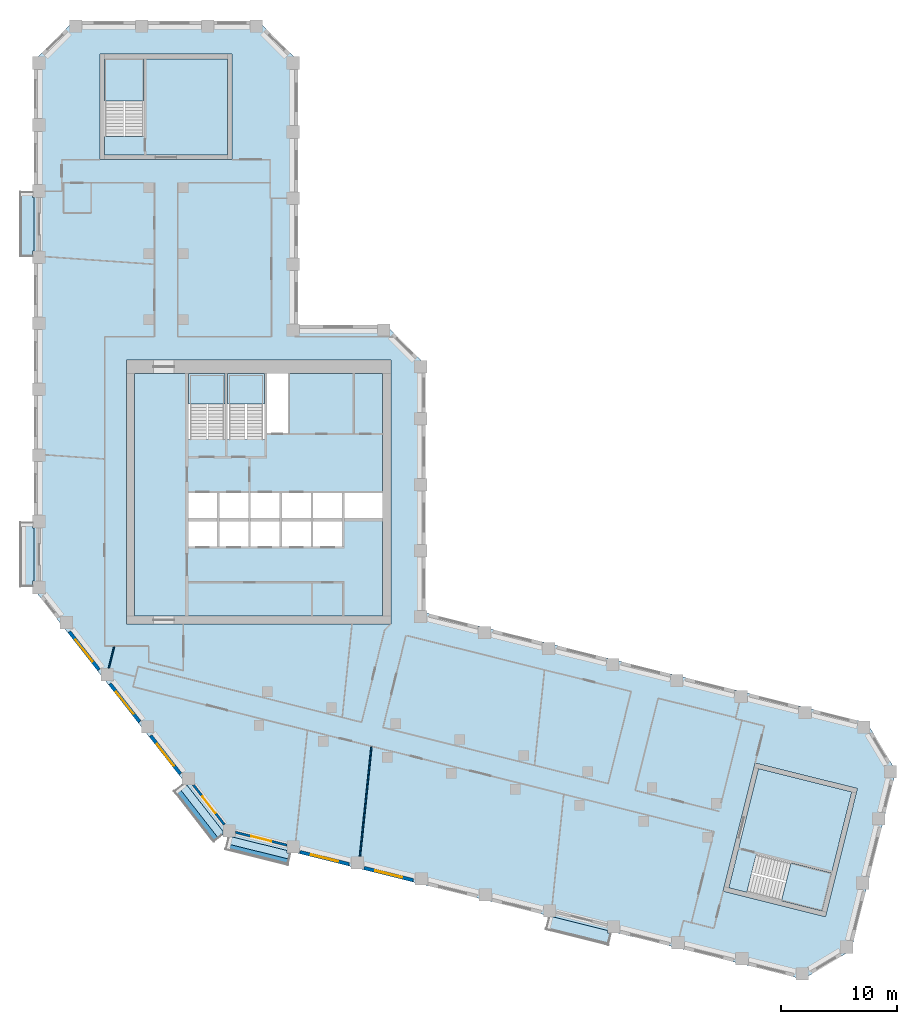
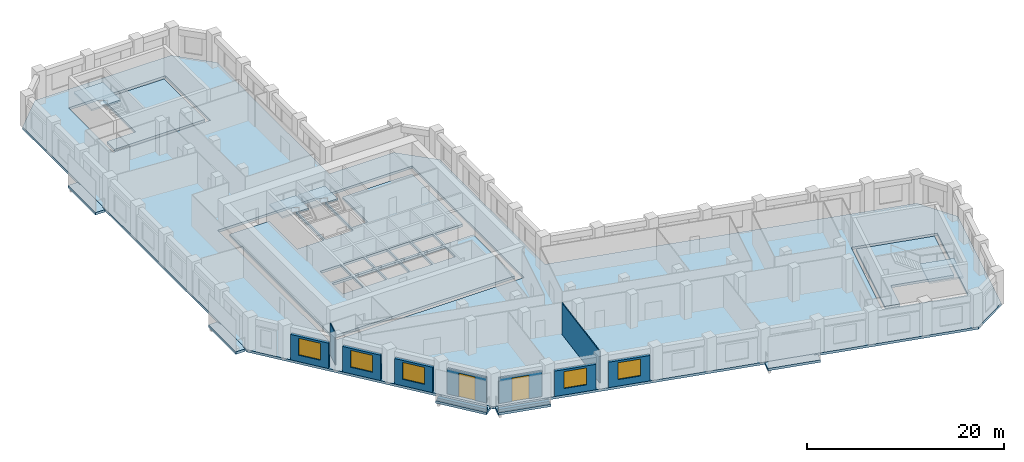
# One storey, part 2 of 10: 13 slabs, 11 walls, 5 windows, 2 doors, 7 openings, 4 elements without a shape of their own.
"""IFC4 building model written with IfcOpenShell, lengths in metres."""

from ifc_helpers import new_model, si_unit, direction, frame, frame_2d, origin, place, context, subcontext, project, spatial, polyline, rectangle, outline, extrude, material, layer, layer_set, type_object, element, fill, aggregate, save


model = new_model("IFC4")

# Units and contexts
model_context = context("Model", 3, precision=1e-05, world=origin(), true_north=direction((0.0, 1.0)))
body_context = subcontext(model_context, "Body", "Model", "MODEL_VIEW")
ifc_project = project(units=[si_unit("LENGTHUNIT", "METRE"), si_unit("AREAUNIT", "SQUARE_METRE"), si_unit("VOLUMEUNIT", "CUBIC_METRE"), si_unit("PLANEANGLEUNIT", "RADIAN"), si_unit("MASSUNIT", "GRAM", prefix="KILO")], contexts=[model_context])

# Site, building, storey
site_placement = place(None, origin())
site = spatial("IfcSite", under=ifc_project, at=site_placement, CompositionType="ELEMENT")
building_placement = place(site_placement, origin())
building = spatial("IfcBuilding", under=site, at=building_placement, Name="Meshkara Civic Tower", CompositionType="ELEMENT")
storey_placement = place(building_placement, frame((0.0, 0.0, 234.0)))
storey = spatial("IfcBuildingStorey", under=building, at=storey_placement, Name="L53", CompositionType="ELEMENT", Elevation=234.0)

# Slabs
ifc_material_1 = material(Name="Concrete C40", Category="concrete")
ifc_layer_1 = layer(ifc_material_1, 0.300048828125)
ifc_layer_set_1 = layer_set([ifc_layer_1], Name="BALCONY SLAB")
slab_type_1 = type_object("IfcSlabType", Name="BALCONY SLAB", PredefinedType="FLOOR", material=ifc_layer_set_1)
slab_1_placement = place(storey_placement, frame((0.0, 0.0, -0.300048828125)))
element("IfcSlab", 1, at=slab_1_placement, inside=storey, type_object=slab_type_1, Name="Balcony slab", PredefinedType="FLOOR", context=body_context, shape_type="SweptSolid", body=[
    extrude(outline(polyline([(-1.199951171875, 45.81494140625), (-1.199951171875, 51.39501953125), (-0.10009765625, 51.39501953125), (-0.10009765625, 50.905029296875), (0.0, 50.905029296875), (0.0, 46.304931640625), (-0.10009765625, 46.304931640625), (-0.10009765625, 45.81494140625), (-1.199951171875, 45.81494140625)])), origin(), (0.0, 0.0, 1.0), 0.300048828125),
])
slab_2_placement = place(storey_placement, frame((0.0, 0.0, -0.300048828125)))
element("IfcSlab", 2, at=slab_2_placement, inside=storey, type_object=slab_type_1, Name="Balcony slab", PredefinedType="FLOOR", context=body_context, shape_type="SweptSolid", body=[
    extrude(outline(polyline([(-1.199951171875, 17.31494140625), (-1.199951171875, 22.89501953125), (-0.10009765625, 22.89501953125), (-0.10009765625, 22.405029296875), (0.0, 22.405029296875), (0.0, 17.804931640625), (-0.10009765625, 17.804931640625), (-0.10009765625, 17.31494140625), (-1.199951171875, 17.31494140625)])), origin(), (0.0, 0.0, 1.0), 0.300048828125),
])
slab_3_placement = place(storey_placement, frame((0.0, 0.0, -0.300048828125)))
element("IfcSlab", 3, at=slab_3_placement, inside=storey, type_object=slab_type_1, Name="Balcony slab", PredefinedType="FLOOR", context=body_context, shape_type="SweptSolid", body=[
    extrude(outline(polyline([(15.513916015625, -4.7060546875), (12.0791015625, -0.30908203125), (12.7919921875, 0.248046875), (12.7919921875, 0.2041015625), (13.199951171875, 0.2041015625), (16.301025390625, -3.764892578125), (16.301025390625, -4.092041015625), (15.513916015625, -4.7060546875)])), origin(), (0.0, 0.0, 1.0), 0.300048828125),
])
slab_4_placement = place(storey_placement, frame((0.0, 0.0, -0.300048828125)))
element("IfcSlab", 4, at=slab_4_placement, inside=storey, type_object=slab_type_1, Name="Balcony slab", PredefinedType="FLOOR", context=body_context, shape_type="SweptSolid", body=[
    extrude(outline(polyline([(21.925048828125, -6.702880859375), (16.510009765625, -5.35302734375), (16.77587890625, -4.2880859375), (17.197998046875, -4.2880859375), (21.83203125, -5.443115234375), (21.83203125, -5.6669921875), (22.18310546875, -5.6669921875), (21.925048828125, -6.702880859375)])), origin(), (0.0, 0.0, 1.0), 0.300048828125),
])
slab_5_placement = place(storey_placement, frame((0.0, 0.0, -0.300048828125)))
element("IfcSlab", 5, at=slab_5_placement, inside=storey, type_object=slab_type_1, Name="Balcony slab", PredefinedType="FLOOR", context=body_context, shape_type="SweptSolid", body=[
    extrude(outline(polyline([(49.577880859375, -13.597900390625), (44.1640625, -12.248046875), (44.429931640625, -11.181884765625), (44.84912109375, -11.181884765625), (49.485107421875, -12.337890625), (49.485107421875, -12.56103515625), (49.8359375, -12.56103515625), (49.577880859375, -13.597900390625)])), origin(), (0.0, 0.0, 1.0), 0.300048828125),
])
ifc_material_2 = material(Name="Concrete C40/50", Category="concrete")
ifc_layer_2 = layer(ifc_material_2, 0.300048828125)
ifc_layer_set_2 = layer_set([ifc_layer_2], Name="Core floor slab 300 C40/50")
slab_type_2 = type_object("IfcSlabType", Name="Core floor slab 300 C40/50", PredefinedType="FLOOR", material=ifc_layer_set_2)
slab_6_placement = place(storey_placement, frame((0.0, 0.0, -0.300048828125)))
element("IfcSlab", 6, at=slab_6_placement, inside=storey, type_object=slab_type_2, Name="Core floor K", PredefinedType="FLOOR", context=body_context, shape_type="SweptSolid", body=[
    extrude(outline(polyline([(8.699951171875, 35.699951171875), (13.35009765625, 35.699951171875), (13.35009765625, 30.00146484375), (16.5, 30.00146484375), (16.5, 35.699951171875), (16.699951171875, 35.699951171875), (16.699951171875, 30.00146484375), (19.89990234375, 30.00146484375), (19.89990234375, 35.699951171875), (20.10009765625, 35.699951171875), (20.10009765625, 30.574951171875), (21.925048828125, 30.574951171875), (21.925048828125, 35.699951171875), (30.10009765625, 35.699951171875), (30.10009765625, 25.39990234375), (26.800048828125, 25.39990234375), (26.800048828125, 23.25), (30.10009765625, 23.25), (30.10009765625, 14.800048828125), (8.699951171875, 14.800048828125), (8.699951171875, 35.699951171875)]), holes=[polyline([(15.800048828125, 22.949951171875), (13.35009765625, 22.949951171875), (13.35009765625, 20.800048828125), (15.800048828125, 20.800048828125), (15.800048828125, 22.949951171875)]), polyline([(16.0, 22.949951171875), (16.0, 20.800048828125), (18.5, 20.800048828125), (18.5, 22.949951171875), (16.0, 22.949951171875)]), polyline([(18.699951171875, 22.949951171875), (18.699951171875, 20.800048828125), (21.199951171875, 20.800048828125), (21.199951171875, 22.949951171875), (18.699951171875, 22.949951171875)]), polyline([(15.800048828125, 23.25), (15.800048828125, 25.39990234375), (13.35009765625, 25.39990234375), (13.35009765625, 23.25), (15.800048828125, 23.25)]), polyline([(16.0, 25.39990234375), (16.0, 23.25), (18.5, 23.25), (18.5, 25.39990234375), (16.0, 25.39990234375)]), polyline([(21.39990234375, 20.800048828125), (23.89990234375, 20.800048828125), (23.89990234375, 22.949951171875), (21.39990234375, 22.949951171875), (21.39990234375, 20.800048828125)]), polyline([(24.10009765625, 20.800048828125), (26.60009765625, 20.800048828125), (26.60009765625, 22.949951171875), (24.10009765625, 22.949951171875), (24.10009765625, 20.800048828125)]), polyline([(18.699951171875, 25.39990234375), (18.699951171875, 23.25), (21.199951171875, 23.25), (21.199951171875, 25.39990234375), (18.699951171875, 25.39990234375)]), polyline([(21.39990234375, 25.39990234375), (21.39990234375, 23.25), (23.89990234375, 23.25), (23.89990234375, 25.39990234375), (21.39990234375, 25.39990234375)]), polyline([(24.10009765625, 23.25), (26.60009765625, 23.25), (26.60009765625, 25.39990234375), (24.10009765625, 25.39990234375), (24.10009765625, 23.25)])]), origin(), (0.0, 0.0, 1.0), 0.300048828125),
])
slab_7_placement = place(storey_placement, frame((0.0, 0.0, -0.300048828125)))
element("IfcSlab", 7, at=slab_7_placement, inside=storey, type_object=slab_type_2, Name="Core floor EA", PredefinedType="FLOOR", context=body_context, shape_type="SweptSolid", body=[
    extrude(outline(polyline([(16.699951171875, 54.570068359375), (16.699951171875, 62.8701171875), (9.5, 62.8701171875), (9.5, 56.17138671875), (6.10009765625, 56.17138671875), (6.10009765625, 54.570068359375), (16.699951171875, 54.570068359375)])), origin(), (0.0, 0.0, 1.0), 0.300048828125),
])
slab_8_placement = place(storey_placement, frame((0.0, 0.0, -0.300048828125)))
element("IfcSlab", 8, at=slab_8_placement, inside=storey, type_object=slab_type_2, Name="Core floor EB", PredefinedType="FLOOR", context=body_context, shape_type="SweptSolid", body=[
    extrude(outline(polyline([(62.519775390625, 1.623291015625), (70.5732421875, -0.384765625), (68.83154296875, -7.370849609375), (62.33203125, -5.750244140625), (61.50927734375, -9.04931640625), (59.95556640625, -8.661865234375), (62.519775390625, 1.623291015625)])), origin(), (0.0, 0.0, 1.0), 0.300048828125),
])

# Stair, slab
ifc_material_3 = material(Name="Precast concrete C40/50", Category="concrete")
stair_type_1 = type_object("IfcStairType", Name="Exit stair half-turn 24 risers precast", PredefinedType="HALF_TURN_STAIR", material=ifc_material_3)
stair_1_placement = place(storey_placement, origin())
stair_1 = element("IfcStair", 9, at=stair_1_placement, inside=storey, type_object=stair_type_1, Name="L53 exit stair 1", PredefinedType="HALF_TURN_STAIR")
ifc_material_4 = material(Name="Precast concrete C40/50", Category="concrete")
ifc_layer_3 = layer(ifc_material_4, 0.199951171875)
ifc_layer_set_3 = layer_set([ifc_layer_3], Name="Exit stair landing 200")
slab_type_3 = type_object("IfcSlabType", Name="Exit stair landing 200", PredefinedType="LANDING", material=ifc_layer_set_3)
slab_9_placement = place(storey_placement, frame((0.0, 0.0, 1.89990234375)))
slab_9 = element("IfcSlab", 10, at=slab_9_placement, type_object=slab_type_3, Name="ST1 landing 1", PredefinedType="LANDING", context=body_context, shape_type="SweptSolid", body=[
    extrude(outline(polyline([(16.5, 33.07861328125), (16.5, 35.699951171875), (13.35009765625, 35.699951171875), (13.35009765625, 33.07861328125), (16.5, 33.07861328125)])), origin(), (0.0, 0.0, 1.0), 0.2001953125),
])
aggregate(stair_1, [slab_9])

stair_2_placement = place(storey_placement, origin())
stair_2 = element("IfcStair", 11, at=stair_2_placement, inside=storey, type_object=stair_type_1, Name="L53 exit stair 2", PredefinedType="HALF_TURN_STAIR")
slab_10_placement = place(storey_placement, frame((0.0, 0.0, 1.89990234375)))
slab_10 = element("IfcSlab", 12, at=slab_10_placement, type_object=slab_type_3, Name="ST2 landing 1", PredefinedType="LANDING", context=body_context, shape_type="SweptSolid", body=[
    extrude(outline(polyline([(19.89990234375, 33.07861328125), (19.89990234375, 35.699951171875), (16.699951171875, 35.699951171875), (16.699951171875, 33.07861328125), (19.89990234375, 33.07861328125)])), origin(), (0.0, 0.0, 1.0), 0.2001953125),
])
aggregate(stair_2, [slab_10])

ifc_material_5 = material(Name="Precast concrete C40/50", Category="concrete")
stair_type_2 = type_object("IfcStairType", Name="Exit stair half-turn 24 risers 1600 precast", PredefinedType="HALF_TURN_STAIR", material=ifc_material_5)
stair_3_placement = place(storey_placement, origin())
stair_3 = element("IfcStair", 13, at=stair_3_placement, inside=storey, type_object=stair_type_2, Name="L53 exit stair A from L50", PredefinedType="HALF_TURN_STAIR")
slab_11_placement = place(storey_placement, frame((0.0, 0.0, 1.89990234375)))
slab_11 = element("IfcSlab", 14, at=slab_11_placement, type_object=slab_type_3, Name="ESA4 landing 1", PredefinedType="LANDING", context=body_context, shape_type="SweptSolid", body=[
    extrude(outline(polyline([(9.5, 59.24853515625), (9.5, 62.8701171875), (6.10009765625, 62.8701171875), (6.10009765625, 59.24853515625), (9.5, 59.24853515625)])), origin(), (0.0, 0.0, 1.0), 0.2001953125),
])
aggregate(stair_3, [slab_11])

stair_4_placement = place(storey_placement, origin())
stair_4 = element("IfcStair", 15, at=stair_4_placement, inside=storey, type_object=stair_type_2, Name="L53 exit stair B from L50", PredefinedType="HALF_TURN_STAIR")
slab_12_placement = place(storey_placement, frame((0.0, 0.0, 1.89990234375)))
slab_12 = element("IfcSlab", 16, at=slab_12_placement, type_object=slab_type_3, Name="ESB4 landing 1", PredefinedType="LANDING", context=body_context, shape_type="SweptSolid", body=[
    extrude(outline(polyline([(64.49462890625, -9.794677734375), (68.0087890625, -10.67138671875), (68.83203125, -7.371337890625), (65.318115234375, -6.49462890625), (64.49462890625, -9.794677734375)])), origin(), (0.0, 0.0, 1.0), 0.2001953125),
])
aggregate(stair_4, [slab_12])

# Slab
ifc_material_6 = material(Name="Concrete C50", Category="concrete")
ifc_layer_4 = layer(ifc_material_6, 0.300048828125)
ifc_layer_set_4 = layer_set([ifc_layer_4], Name="Post-tensioned flat slab 300 C50")
slab_type_4 = type_object("IfcSlabType", Name="Post-tensioned flat slab 300 C50", PredefinedType="FLOOR", material=ifc_layer_set_4)
slab_13_placement = place(storey_placement, frame((0.0, 0.0, -0.300048828125)))
element("IfcSlab", 17, at=slab_13_placement, inside=storey, type_object=slab_type_4, Name="Post-tensioned flat slab L53", PredefinedType="FLOOR", context=body_context, shape_type="SweptSolid", body=[
    extrude(outline(polyline([(70.513916015625, -14.055908203125), (66.367919921875, -16.547119140625), (16.592041015625, -4.136962890625), (0.0, 17.10009765625), (0.0, 62.699951171875), (3.419921875, 66.1201171875), (19.3798828125, 66.1201171875), (22.800048828125, 62.699951171875), (22.800048828125, 39.89990234375), (30.3798828125, 39.89990234375), (33.800048828125, 36.47998046875), (33.800048828125, 15.071044921875), (71.884033203125, 5.574951171875), (74.375, 1.429931640625), (70.513916015625, -14.055908203125)]), holes=[polyline([(68.300048828125, -11.155029296875), (71.05810546875, -0.093017578125), (62.22802734375, 2.10791015625), (59.470947265625, -8.952880859375), (68.300048828125, -11.155029296875)]), polyline([(8.0, 14.10009765625), (30.800048828125, 14.10009765625), (30.800048828125, 36.89990234375), (8.0, 36.89990234375), (8.0, 14.10009765625)]), polyline([(5.699951171875, 63.27001953125), (5.699951171875, 54.169921875), (17.10009765625, 54.169921875), (17.10009765625, 63.27001953125), (5.699951171875, 63.27001953125)])]), origin(), (0.0, 0.0, 1.0), 0.300048828125),
])

# Wall, opening, window
ifc_material_7 = material(Name="Insulated infill panel with bronze anodised aluminium cladding", Category="aluminium")
ifc_layer_5 = layer(ifc_material_7, 0.300048828125)
ifc_layer_set_5 = layer_set([ifc_layer_5], Name="EXTERNAL INFILL WALL 300")
wall_type_1 = type_object("IfcWallType", Name="EXTERNAL INFILL WALL 300", PredefinedType="SOLIDWALL", material=ifc_layer_set_5)
wall_1_placement = place(storey_placement, frame((3.052978515625, 13.43603515625, 0.0), z_axis=(0.0, 0.0, 1.0), x_axis=(0.615699893917, -0.787980736205, 0.0)))
wall_1 = element("IfcWall", 18, at=wall_1_placement, inside=storey, type_object=wall_type_1, Name="External wall", PredefinedType="SOLIDWALL", context=body_context, shape_type="SweptSolid", body=[
    extrude(rectangle(XDim=4.156494140625, YDim=0.300048828125, at=frame_2d((2.078125, 0.0))), origin(), (0.0, 0.0, 1.0), 3.14990234375),
])
opening_1_placement = place(wall_1_placement, frame((0.8779296875, 0.0, 0.800048828125)))
opening_1 = element("IfcOpeningElement", 19, at=opening_1_placement, cuts=wall_1, Name="Opening W7", PredefinedType="OPENING", context=body_context, shape_type="SweptSolid", body=[
    extrude(rectangle(XDim=2.39990234375, YDim=2.10009765625, at=frame_2d((1.199951171875, 1.050048828125))), frame((0.0, 0.159912109375, 0.0), z_axis=(0.0, -1.0, 0.0), x_axis=(1.0, 0.0, 0.0)), (0.0, 0.0, 1.0), 0.320068359375),
])
ifc_material_8 = material(Name="Tinted double glazing", Category="glass")
window_type = type_object("IfcWindowType", Name="WINDOW 2400x2100", PartitioningType="DOUBLE_PANEL_VERTICAL", PredefinedType="WINDOW", material=ifc_material_8)
window_1_placement = place(opening_1_placement, origin())
window_1 = element("IfcWindow", 20, at=window_1_placement, inside=storey, type_object=window_type, Name="Window", OverallHeight=2.10009765625, OverallWidth=2.39990234375, PartitioningType="DOUBLE_PANEL_VERTICAL", PredefinedType="WINDOW", context=body_context, shape_type="SweptSolid", body=[
    extrude(rectangle(XDim=2.39990234375, YDim=2.10009765625, at=frame_2d((1.199951171875, 1.050048828125))), frame((0.0, 0.030029296875, 0.0), z_axis=(0.0, -1.0, 0.0), x_axis=(1.0, 0.0, 0.0)), (0.0, 0.0, 1.0), 0.06005859375),
])
fill(opening_1, window_1)

wall_2_placement = place(storey_placement, frame((6.56201171875, 8.944091796875, 0.0), z_axis=(0.0, 0.0, 1.0), x_axis=(0.615699893917, -0.787980736205, 0.0)))
wall_2 = element("IfcWall", 21, at=wall_2_placement, inside=storey, type_object=wall_type_1, Name="External wall", PredefinedType="SOLIDWALL", context=body_context, shape_type="SweptSolid", body=[
    extrude(rectangle(XDim=4.156494140625, YDim=0.300048828125, at=frame_2d((2.078125, 0.0))), origin(), (0.0, 0.0, 1.0), 3.14990234375),
])
opening_2_placement = place(wall_2_placement, frame((0.8779296875, 0.0, 0.800048828125)))
opening_2 = element("IfcOpeningElement", 22, at=opening_2_placement, cuts=wall_2, Name="Opening W7", PredefinedType="OPENING", context=body_context, shape_type="SweptSolid", body=[
    extrude(rectangle(XDim=2.39990234375, YDim=2.10009765625, at=frame_2d((1.199951171875, 1.050048828125))), frame((0.0, 0.159912109375, 0.0), z_axis=(0.0, -1.0, 0.0), x_axis=(1.0, 0.0, 0.0)), (0.0, 0.0, 1.0), 0.320068359375),
])
window_2_placement = place(opening_2_placement, origin())
window_2 = element("IfcWindow", 23, at=window_2_placement, inside=storey, type_object=window_type, Name="Window", OverallHeight=2.10009765625, OverallWidth=2.39990234375, PartitioningType="DOUBLE_PANEL_VERTICAL", PredefinedType="WINDOW", context=body_context, shape_type="SweptSolid", body=[
    extrude(rectangle(XDim=2.39990234375, YDim=2.10009765625, at=frame_2d((1.199951171875, 1.050048828125))), frame((0.0, 0.030029296875, 0.0), z_axis=(0.0, -1.0, 0.0), x_axis=(1.0, 0.0, 0.0)), (0.0, 0.0, 1.0), 0.06005859375),
])
fill(opening_2, window_2)

wall_3_placement = place(storey_placement, frame((10.072021484375, 4.451904296875, 0.0), z_axis=(0.0, 0.0, 1.0), x_axis=(0.615660006568, -0.788011901124, 0.0)))
wall_3 = element("IfcWall", 24, at=wall_3_placement, inside=storey, type_object=wall_type_1, Name="External wall", PredefinedType="SOLIDWALL", context=body_context, shape_type="SweptSolid", body=[
    extrude(rectangle(XDim=4.15478515625, YDim=0.300048828125, at=frame_2d((2.077392578125, 0.0))), origin(), (0.0, 0.0, 1.0), 3.14990234375),
])
opening_3_placement = place(wall_3_placement, frame((0.8779296875, 0.0, 0.800048828125)))
opening_3 = element("IfcOpeningElement", 25, at=opening_3_placement, cuts=wall_3, Name="Opening W7", PredefinedType="OPENING", context=body_context, shape_type="SweptSolid", body=[
    extrude(rectangle(XDim=2.39990234375, YDim=2.10009765625, at=frame_2d((1.199951171875, 1.050048828125))), frame((0.0, 0.159912109375, 0.0), z_axis=(0.0, -1.0, 0.0), x_axis=(1.0, 0.0, 0.0)), (0.0, 0.0, 1.0), 0.320068359375),
])
window_3_placement = place(opening_3_placement, origin())
window_3 = element("IfcWindow", 26, at=window_3_placement, inside=storey, type_object=window_type, Name="Window", OverallHeight=2.10009765625, OverallWidth=2.39990234375, PartitioningType="DOUBLE_PANEL_VERTICAL", PredefinedType="WINDOW", context=body_context, shape_type="SweptSolid", body=[
    extrude(rectangle(XDim=2.39990234375, YDim=2.10009765625, at=frame_2d((1.199951171875, 1.050048828125))), frame((0.0, 0.030029296875, 0.0), z_axis=(0.0, -1.0, 0.0), x_axis=(1.0, 0.0, 0.0)), (0.0, 0.0, 1.0), 0.06005859375),
])
fill(opening_3, window_3)

wall_4_placement = place(storey_placement, frame((22.9560546875, -5.569091796875, 0.0), z_axis=(0.0, 0.0, 1.0), x_axis=(0.970323116569, -0.241812012628, 0.0)))
wall_4 = element("IfcWall", 27, at=wall_4_placement, inside=storey, type_object=wall_type_1, Name="External wall", PredefinedType="SOLIDWALL", context=body_context, shape_type="SweptSolid", body=[
    extrude(rectangle(XDim=4.36669921875, YDim=0.300048828125, at=frame_2d((2.183349609375, 0.0))), origin(), (0.0, 0.0, 1.0), 3.14990234375),
])
opening_4_placement = place(wall_4_placement, frame((0.98291015625, 0.0, 0.800048828125)))
opening_4 = element("IfcOpeningElement", 28, at=opening_4_placement, cuts=wall_4, Name="Opening W7", PredefinedType="OPENING", context=body_context, shape_type="SweptSolid", body=[
    extrude(rectangle(XDim=2.39990234375, YDim=2.10009765625, at=frame_2d((1.199951171875, 1.050048828125))), frame((0.0, 0.159912109375, 0.0), z_axis=(0.0, -1.0, 0.0), x_axis=(1.0, 0.0, 0.0)), (0.0, 0.0, 1.0), 0.320068359375),
])
window_4_placement = place(opening_4_placement, origin())
window_4 = element("IfcWindow", 29, at=window_4_placement, inside=storey, type_object=window_type, Name="Window", OverallHeight=2.10009765625, OverallWidth=2.39990234375, PartitioningType="DOUBLE_PANEL_VERTICAL", PredefinedType="WINDOW", context=body_context, shape_type="SweptSolid", body=[
    extrude(rectangle(XDim=2.39990234375, YDim=2.10009765625, at=frame_2d((1.199951171875, 1.050048828125))), frame((0.0, 0.030029296875, 0.0), z_axis=(0.0, -1.0, 0.0), x_axis=(1.0, 0.0, 0.0)), (0.0, 0.0, 1.0), 0.06005859375),
])
fill(opening_4, window_4)

wall_5_placement = place(storey_placement, frame((28.486083984375, -6.947998046875, 0.0), z_axis=(0.0, 0.0, 1.0), x_axis=(0.970336189295, -0.241759549438, 0.0)))
wall_5 = element("IfcWall", 30, at=wall_5_placement, inside=storey, type_object=wall_type_1, Name="External wall", PredefinedType="SOLIDWALL", context=body_context, shape_type="SweptSolid", body=[
    extrude(rectangle(XDim=4.36767578125, YDim=0.300048828125, at=frame_2d((2.183837890625, 0.0))), origin(), (0.0, 0.0, 1.0), 3.14990234375),
])
opening_5_placement = place(wall_5_placement, frame((0.98291015625, 0.0, 0.800048828125)))
opening_5 = element("IfcOpeningElement", 31, at=opening_5_placement, cuts=wall_5, Name="Opening W7", PredefinedType="OPENING", context=body_context, shape_type="SweptSolid", body=[
    extrude(rectangle(XDim=2.39990234375, YDim=2.10009765625, at=frame_2d((1.199951171875, 1.050048828125))), frame((0.0, 0.159912109375, 0.0), z_axis=(0.0, -1.0, 0.0), x_axis=(1.0, 0.0, 0.0)), (0.0, 0.0, 1.0), 0.320068359375),
])
window_5_placement = place(opening_5_placement, origin())
window_5 = element("IfcWindow", 32, at=window_5_placement, inside=storey, type_object=window_type, Name="Window", OverallHeight=2.10009765625, OverallWidth=2.39990234375, PartitioningType="DOUBLE_PANEL_VERTICAL", PredefinedType="WINDOW", context=body_context, shape_type="SweptSolid", body=[
    extrude(rectangle(XDim=2.39990234375, YDim=2.10009765625, at=frame_2d((1.199951171875, 1.050048828125))), frame((0.0, 0.030029296875, 0.0), z_axis=(0.0, -1.0, 0.0), x_axis=(1.0, 0.0, 0.0)), (0.0, 0.0, 1.0), 0.06005859375),
])
fill(opening_5, window_5)

# Wall, opening, door
ifc_material_9 = material(Name="Insulated infill panel with bronze anodised aluminium cladding", Category="aluminium")
ifc_layer_6 = layer(ifc_material_9, 0.199951171875)
ifc_layer_set_6 = layer_set([ifc_layer_6], Name="LOGGIA BACK WALL 200")
wall_type_2 = type_object("IfcWallType", Name="LOGGIA BACK WALL 200", PredefinedType="SOLIDWALL", material=ifc_layer_set_6)
wall_6_placement = place(storey_placement, frame((13.77197265625, 0.2041015625, 0.0), z_axis=(0.0, 0.0, 1.0), x_axis=(0.615478906808, -0.788153357713, 0.0)))
wall_6 = element("IfcWall", 33, at=wall_6_placement, inside=storey, type_object=wall_type_2, Name="Loggia wall", PredefinedType="SOLIDWALL", context=body_context, shape_type="SweptSolid", body=[
    extrude(rectangle(XDim=4.303955078125, YDim=0.199951171875, at=frame_2d((2.15185546875, 0.0))), origin(), (0.0, 0.0, 1.0), 3.14990234375),
])
opening_6_placement = place(wall_6_placement, frame((1.251953125, 0.0, 0.0)))
opening_6 = element("IfcOpeningElement", 34, at=opening_6_placement, cuts=wall_6, Name="Opening L53-L003", PredefinedType="OPENING", context=body_context, shape_type="SweptSolid", body=[
    extrude(rectangle(XDim=1.800048828125, YDim=2.89990234375, at=frame_2d((0.89990234375, 1.449951171875))), frame((0.0, 0.10986328125, 0.0), z_axis=(0.0, -1.0, 0.0), x_axis=(1.0, 0.0, 0.0)), (0.0, 0.0, 1.0), 0.219970703125),
])
ifc_material_10 = material(Name="Tinted double glazing", Category="glass")
door_type = type_object("IfcDoorType", Name="LOGGIA DOOR 1800x2900", OperationType="DOUBLE_DOOR_SINGLE_SWING", PredefinedType="DOOR", material=ifc_material_10)
door_1_placement = place(opening_6_placement, origin())
door_1 = element("IfcDoor", 35, at=door_1_placement, inside=storey, type_object=door_type, Name="L53-L003", OperationType="DOUBLE_DOOR_SINGLE_SWING", OverallHeight=2.89990234375, OverallWidth=1.800048828125, PredefinedType="DOOR", context=body_context, shape_type="SweptSolid", body=[
    extrude(rectangle(XDim=1.800048828125, YDim=2.89990234375, at=frame_2d((0.89990234375, 1.449951171875))), frame((0.0, 0.02490234375, 0.0), z_axis=(0.0, -1.0, 0.0), x_axis=(1.0, 0.0, 0.0)), (0.0, 0.0, 1.0), 0.050048828125),
])
fill(opening_6, door_1)

wall_7_placement = place(storey_placement, frame((17.40087890625, -3.875, 0.0), z_axis=(0.0, 0.0, 1.0), x_axis=(0.970286982272, -0.241956963183, 0.0)))
wall_7 = element("IfcWall", 36, at=wall_7_placement, inside=storey, type_object=wall_type_2, Name="Loggia wall", PredefinedType="SOLIDWALL", context=body_context, shape_type="SweptSolid", body=[
    extrude(rectangle(XDim=4.56689453125, YDim=0.199951171875, at=frame_2d((2.283447265625, 0.0))), origin(), (0.0, 0.0, 1.0), 3.14990234375),
])
opening_7_placement = place(wall_7_placement, frame((1.383056640625, 0.0, 0.0)))
opening_7 = element("IfcOpeningElement", 37, at=opening_7_placement, cuts=wall_7, Name="Opening L53-L004", PredefinedType="OPENING", context=body_context, shape_type="SweptSolid", body=[
    extrude(rectangle(XDim=1.800048828125, YDim=2.89990234375, at=frame_2d((0.89990234375, 1.449951171875))), frame((0.0, 0.10986328125, 0.0), z_axis=(0.0, -1.0, 0.0), x_axis=(1.0, 0.0, 0.0)), (0.0, 0.0, 1.0), 0.219970703125),
])
door_2_placement = place(opening_7_placement, origin())
door_2 = element("IfcDoor", 38, at=door_2_placement, inside=storey, type_object=door_type, Name="L53-L004", OperationType="DOUBLE_DOOR_SINGLE_SWING", OverallHeight=2.89990234375, OverallWidth=1.800048828125, PredefinedType="DOOR", context=body_context, shape_type="SweptSolid", body=[
    extrude(rectangle(XDim=1.800048828125, YDim=2.89990234375, at=frame_2d((0.89990234375, 1.449951171875))), frame((0.0, 0.02490234375, 0.0), z_axis=(0.0, -1.0, 0.0), x_axis=(1.0, 0.0, 0.0)), (0.0, 0.0, 1.0), 0.050048828125),
])
fill(opening_7, door_2)

# Walls
ifc_material_11 = material(Name="Concrete C40", Category="concrete")
ifc_layer_7 = layer(ifc_material_11, 0.39990234375)
ifc_layer_set_7 = layer_set([ifc_layer_7], Name="PLANTER TRAY")
wall_type_3 = type_object("IfcWallType", Name="PLANTER TRAY", PredefinedType="SOLIDWALL", material=ifc_layer_set_7)
wall_8_placement = place(storey_placement, frame((12.39794921875, -0.198974609375, 0.0), z_axis=(0.0, 0.0, 1.0), x_axis=(0.615638738903, -0.788028516719, 0.0)))
element("IfcWall", 39, at=wall_8_placement, inside=storey, type_object=wall_type_3, Name="Planter", PredefinedType="SOLIDWALL", context=body_context, shape_type="SweptSolid", body=[
    extrude(rectangle(XDim=5.3603515625, YDim=0.39990234375, at=frame_2d((2.68017578125, 0.0))), origin(), (0.0, 0.0, 1.0), 0.300048828125),
])
wall_9_placement = place(storey_placement, frame((16.694091796875, -5.069091796875, 0.0), z_axis=(0.0, 0.0, 1.0), x_axis=(0.970289679319, -0.241946147329, 0.0)))
element("IfcWall", 40, at=wall_9_placement, inside=storey, type_object=wall_type_3, Name="Planter", PredefinedType="SOLIDWALL", context=body_context, shape_type="SweptSolid", body=[
    extrude(rectangle(XDim=5.360107421875, YDim=0.39990234375, at=frame_2d((2.68017578125, 0.0))), origin(), (0.0, 0.0, 1.0), 0.300048828125),
])
ifc_material_12 = material(Name="Partition 100")
ifc_layer_8 = layer(ifc_material_12, 0.10009765625)
ifc_layer_set_8 = layer_set([ifc_layer_8], Name="Partition 100")
wall_type_4 = type_object("IfcWallType", Name="Partition 100", PredefinedType="PARTITIONING", material=ifc_layer_set_8)
wall_10_placement = place(storey_placement, frame((6.922119140625, 12.137939453125, 0.0), z_axis=(0.0, 0.0, 1.0), x_axis=(-0.242264600824, -0.970210215978, 0.0)))
element("IfcWall", 41, at=wall_10_placement, inside=storey, type_object=wall_type_4, Name="L53-W045", PredefinedType="PARTITIONING", context=body_context, shape_type="SweptSolid", body=[
    extrude(rectangle(XDim=1.90771484375, YDim=0.10009765625, at=frame_2d((0.953857421875, 0.0))), origin(), (0.0, 0.0, 1.0), 3.89990234375),
])
wall_11_placement = place(storey_placement, frame((28.132080078125, -5.946044921875, 0.0), z_axis=(0.0, 0.0, 1.0), x_axis=(0.104469291407, 0.994528112802, 0.0)))
element("IfcWall", 42, at=wall_11_placement, inside=storey, type_object=wall_type_4, Name="L53-W051", PredefinedType="PARTITIONING", context=body_context, shape_type="SweptSolid", body=[
    extrude(rectangle(XDim=9.4951171875, YDim=0.10009765625, at=frame_2d((4.74755859375, 0.0))), origin(), (0.0, 0.0, 1.0), 3.89990234375),
])

save(model, "model.ifc")
